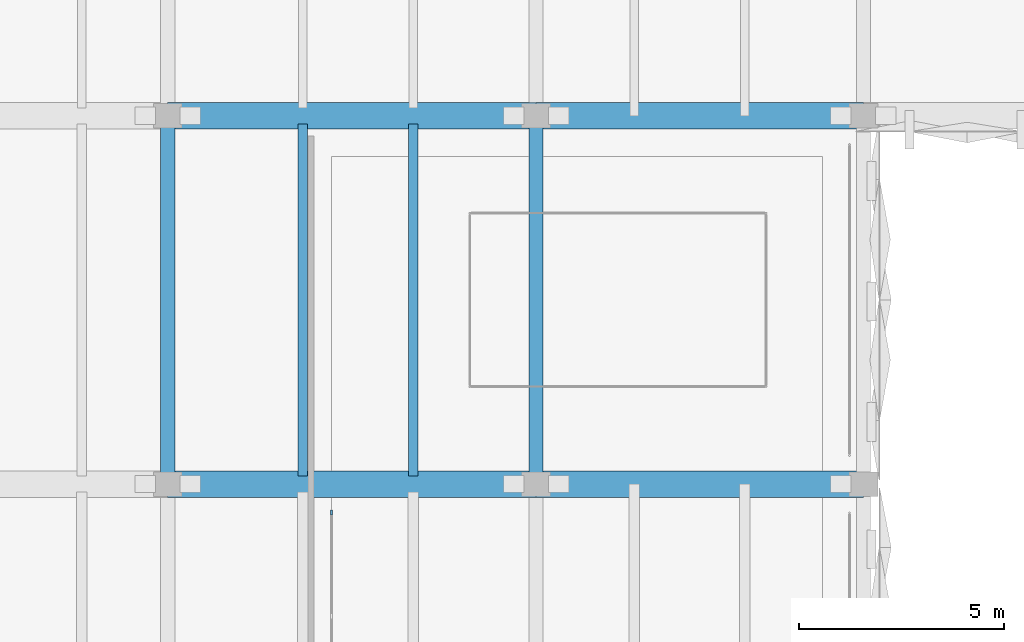
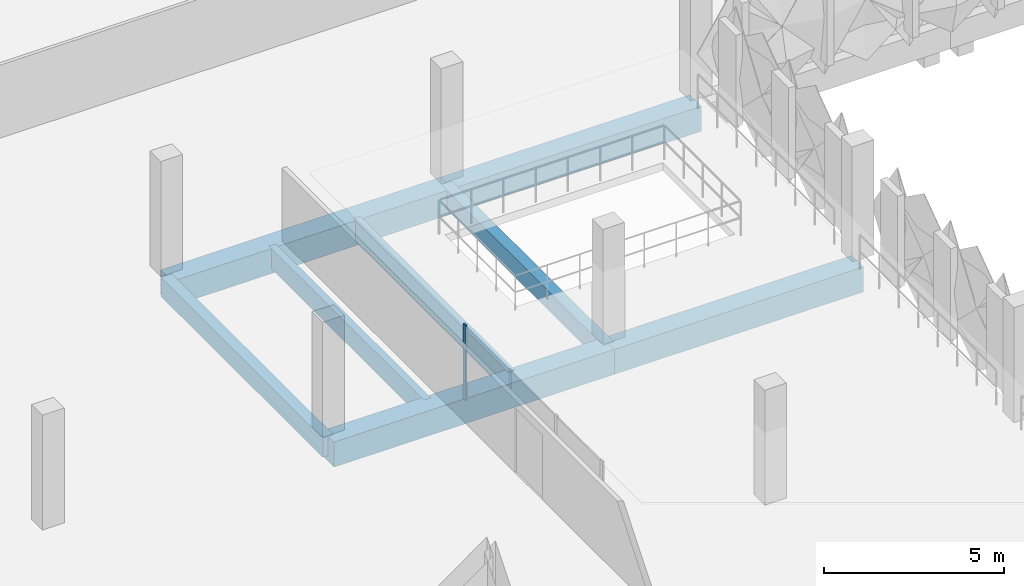
# One storey, part 13 of 52: 8 beams, 1 member, 1 element without a shape of its own.
"""IFC4 building model written with IfcOpenShell, lengths in metres."""

import ifcopenshell
import ifcopenshell.guid

model = None  # the IFC model being written
_history = None  # IfcOwnerHistory: only IFC2X3 demands one
_inside = {}  # id of a spatial element -> (the spatial element, [elements in it])
_under = {}  # id of a project, library or spatial element -> (it, [spatial elements below it])
_declared = {}  # id of a project -> (the project, [libraries it declares])
_typed = {}  # id of a type object -> (the type object, [elements of that type])
_made_of = {}  # id of a material, layer set ... -> (it, [elements and type objects made of it])


def new_model(schema):
    """Start an empty IFC model of exactly this schema.

    Asked for "IFC4X3", IfcOpenShell would pick the latest addendum, in which some entities
    have other attributes; the version numbers below select the first issue.
    IFC2X3 requires an IfcOwnerHistory on every rooted entity: one is made here for all.
    """
    global model, _history
    if schema == "IFC4X3":
        model = ifcopenshell.file(schema_version=(4, 3, 0, 0))
    else:
        model = ifcopenshell.file(schema=schema)
    _inside.clear()
    _under.clear()
    _declared.clear()
    _typed.clear()
    _made_of.clear()
    _history = None
    if model.schema == "IFC2X3":
        org = make("IfcOrganization", Name="unknown")
        user = make(
            "IfcPersonAndOrganization",
            ThePerson=make("IfcPerson", FamilyName="unknown"),
            TheOrganization=org,
        )
        app = make(
            "IfcApplication",
            ApplicationDeveloper=org,
            Version="unknown",
            ApplicationFullName="unknown",
            ApplicationIdentifier="unknown",
        )
        _history = make(
            "IfcOwnerHistory",
            OwningUser=user,
            OwningApplication=app,
            ChangeAction="ADDED",
            CreationDate=0,
        )
    return model


def make(cls, **values):
    """One entity of the class cls with the attributes given. An attribute that is None is left unset."""
    return model.create_entity(
        cls, **{name: value for name, value in values.items() if value is not None}
    )


def rooted(cls, **values):
    """An entity with a GlobalId (a new one), such as an element, a storey or a relation."""
    return make(cls, GlobalId=ifcopenshell.guid.new(), OwnerHistory=_history, **values)


def si_unit(unit_type, name, prefix=None):
    """IfcSIUnit, for example si_unit("LENGTHUNIT", "METRE", prefix="MILLI")."""
    return make("IfcSIUnit", UnitType=unit_type, Prefix=prefix, Name=name)


def derived_unit(unit_type, elements):
    """IfcDerivedUnit: a product of units, each with its exponent."""
    return make(
        "IfcDerivedUnit",
        Elements=[
            make("IfcDerivedUnitElement", Unit=unit, Exponent=power)
            for unit, power in elements
        ],
        UnitType=unit_type,
    )


def assignment(units):
    """IfcUnitAssignment: the units of a project."""
    return None if units is None else make("IfcUnitAssignment", Units=units)


def point(xyz):
    """IfcCartesianPoint."""
    return None if xyz is None else make("IfcCartesianPoint", Coordinates=xyz)


def direction(xyz):
    """IfcDirection."""
    return None if xyz is None else make("IfcDirection", DirectionRatios=xyz)


def frame(location, z_axis=None, x_axis=None):
    """IfcAxis2Placement3D, a coordinate frame: its origin and axes. An axis left out is left unset."""
    return make(
        "IfcAxis2Placement3D",
        Location=point(location),
        Axis=direction(z_axis),
        RefDirection=direction(x_axis),
    )


def frame_2d(location, x_axis=None):
    """IfcAxis2Placement2D, a coordinate frame in the plane: its origin and x axis."""
    return make(
        "IfcAxis2Placement2D", Location=point(location), RefDirection=direction(x_axis)
    )


def origin():
    """The frame at (0, 0, 0) with its axes left unset."""
    return frame((0.0, 0.0, 0.0))


def origin_2d():
    """The frame at (0, 0) in the plane with its x axis left unset."""
    return frame_2d((0.0, 0.0))


def place(relative_to, where):
    """IfcLocalPlacement: puts the frame where relative to a parent placement (None: the world)."""
    return make(
        "IfcLocalPlacement", PlacementRelTo=relative_to, RelativePlacement=where
    )


def context(
    kind, dimensions, precision=None, world=None, true_north=None, identifier=None
):
    """IfcGeometricRepresentationContext, for example the 3D "Model" context."""
    return make(
        "IfcGeometricRepresentationContext",
        ContextIdentifier=identifier,
        ContextType=kind,
        CoordinateSpaceDimension=dimensions,
        Precision=precision,
        WorldCoordinateSystem=world,
        TrueNorth=true_north,
    )


def subcontext(parent, identifier, kind, view, scale=None):
    """IfcGeometricRepresentationSubContext, for example "Body" below "Model"."""
    return make(
        "IfcGeometricRepresentationSubContext",
        ContextIdentifier=identifier,
        ContextType=kind,
        ParentContext=parent,
        TargetScale=scale,
        TargetView=view,
    )


def project(units=None, contexts=None):
    """IfcProject with its units and contexts."""
    return rooted(
        "IfcProject",
        Name="project",
        RepresentationContexts=contexts,
        UnitsInContext=assignment(units),
    )


def spatial(cls, under=None, at=None, **own):
    """A site, building, storey or space (cls), placed at a placement, below another one or the project."""
    s = rooted(cls, ObjectPlacement=at, **own)
    if under is not None:
        _under.setdefault(under.id(), (under, []))[1].append(s)
    return s


def profile(cls, at=None, kind="AREA", **sizes):
    """A parametric profile (cls). Its sizes go by their IFC names, for example OverallWidth=200.0."""
    return make(cls, ProfileType=kind, Position=at, **sizes)


def rectangle(**sizes):
    """IfcRectangleProfileDef."""
    return profile("IfcRectangleProfileDef", **sizes)


def extrude(swept, where, along, depth):
    """IfcExtrudedAreaSolid: the profile swept, set in the frame where, extruded along a direction by depth."""
    return make(
        "IfcExtrudedAreaSolid",
        SweptArea=swept,
        Position=where,
        ExtrudedDirection=direction(along),
        Depth=depth,
    )


def shape(context_of_items, identifier, shape_type, items):
    """IfcShapeRepresentation: the items that make up one representation, for example the "Body"."""
    return make(
        "IfcShapeRepresentation",
        ContextOfItems=context_of_items,
        RepresentationIdentifier=identifier,
        RepresentationType=shape_type,
        Items=items,
    )


def material(Name=None, Category=None):
    """IfcMaterial."""
    return make("IfcMaterial", Name=Name, Category=Category)


def layer(
    of_material, thickness, ventilated=None, Name=None, Category=None, Priority=None
):
    """IfcMaterialLayer: one layer of a wall or slab, of a material (None: an air gap)."""
    return make(
        "IfcMaterialLayer",
        Material=of_material,
        LayerThickness=thickness,
        IsVentilated=ventilated,
        Name=Name,
        Category=Category,
        Priority=Priority,
    )


def layer_set(layers, Name=None):
    """IfcMaterialLayerSet."""
    return make("IfcMaterialLayerSet", MaterialLayers=layers, LayerSetName=Name)


def material_profile(
    of_material, cross_section, Name=None, Category=None, Priority=None
):
    """IfcMaterialProfile: a cross section and its material."""
    return make(
        "IfcMaterialProfile",
        Name=Name,
        Material=of_material,
        Profile=cross_section,
        Priority=Priority,
        Category=Category,
    )


def profile_set(profiles, Name=None, composite=None):
    """IfcMaterialProfileSet."""
    return make(
        "IfcMaterialProfileSet",
        Name=Name,
        MaterialProfiles=profiles,
        CompositeProfile=composite,
    )


def made_of(thing, what):
    """Note that an element or type object is made of a material, layer set ...; save() writes the relation."""
    if what is not None:
        _made_of.setdefault(what.id(), (what, []))[1].append(thing)
    return thing


def type_object(cls, material=None, **own):
    """A type object (cls), such as IfcWallType, which elements share."""
    return made_of(rooted(cls, **own), material)


def element(
    cls,
    number,
    at=None,
    inside=None,
    cuts=None,
    type_object=None,
    material=None,
    context=None,
    identifier="Body",
    shape_type=None,
    held_by="IfcProductDefinitionShape",
    body=None,
    shapes=None,
    **own,
):
    """One element of the class cls, such as IfcWall. Its Tag is "e" and its number.

    at: its placement. inside: the storey or other place that contains it. cuts: it is an
    opening in that element (IfcRelVoidsElement). A single representation is given by context,
    identifier, shape_type and body (its items); several are given by shapes. held_by: the class
    of the entity that holds the representations. save() writes the other relations.
    """
    e = rooted(cls, Tag="e%d" % number, ObjectPlacement=at, **own)
    if body is not None:
        shapes = [shape(context, identifier, shape_type, body)]
    if shapes is not None:
        e.Representation = make(held_by, Representations=shapes)
    if inside is not None:
        _inside.setdefault(inside.id(), (inside, []))[1].append(e)
    if cuts is not None:
        rooted(
            "IfcRelVoidsElement", RelatingBuildingElement=cuts, RelatedOpeningElement=e
        )
    if type_object is not None:
        _typed.setdefault(type_object.id(), (type_object, []))[1].append(e)
    return made_of(e, material)


def aggregate(whole, parts):
    """IfcRelAggregates: a whole, such as a stair, and the parts it consists of."""
    return rooted("IfcRelAggregates", RelatingObject=whole, RelatedObjects=parts)


def save(model, path):
    """Write the relations noted so far, then the file.

    IfcRelAggregates (storeys below a building ...), IfcRelContainedInSpatialStructure (elements
    in a storey), IfcRelDefinesByType, IfcRelAssociatesMaterial and IfcRelDeclares: one each for
    every whole, place, type object, material and project.
    """
    for whole, parts in _under.values():
        aggregate(whole, parts)
    for where, things in _inside.values():
        rooted(
            "IfcRelContainedInSpatialStructure",
            RelatedElements=things,
            RelatingStructure=where,
        )
    for kind, things in _typed.values():
        rooted("IfcRelDefinesByType", RelatedObjects=things, RelatingType=kind)
    for what, things in _made_of.values():
        rooted("IfcRelAssociatesMaterial", RelatedObjects=things, RelatingMaterial=what)
    for by, libraries in _declared.values():
        rooted("IfcRelDeclares", RelatingContext=by, RelatedDefinitions=libraries)
    model.write(path)


model = new_model("IFC4")

# Units and contexts
model_context = context("Model", 3, precision=1e-05, world=origin(), true_north=direction((0.0, 1.0)))
body_context = subcontext(model_context, "Body", "Model", "MODEL_VIEW")
ifc_project = project(units=[si_unit("LENGTHUNIT", "METRE"), si_unit("AREAUNIT", "SQUARE_METRE"), si_unit("VOLUMEUNIT", "CUBIC_METRE"), si_unit("PLANEANGLEUNIT", "RADIAN"), si_unit("MASSUNIT", "GRAM", prefix="KILO"), si_unit("THERMODYNAMICTEMPERATUREUNIT", "KELVIN"), derived_unit("THERMALTRANSMITTANCEUNIT", [(si_unit("POWERUNIT", "WATT"), 1), (si_unit("AREAUNIT", "SQUARE_METRE"), -1), (si_unit("THERMODYNAMICTEMPERATUREUNIT", "KELVIN"), -1)])], contexts=[model_context])

# Site, building, storey
site_placement = place(None, origin())
site = spatial("IfcSite", under=ifc_project, at=site_placement, CompositionType="ELEMENT")
building_placement = place(site_placement, origin())
building = spatial("IfcBuilding", under=site, at=building_placement, Name="Haiyu Intermodal Mobility Hub", CompositionType="ELEMENT")
storey_placement = place(building_placement, frame((0.0, 0.0, 21.199951171875)))
storey = spatial("IfcBuildingStorey", under=building, at=storey_placement, Name="L05", CompositionType="ELEMENT", Elevation=21.199951171875)

# Beams
ifc_material_1 = material(Name="Concrete C40", Category="concrete")
ifc_material_profile_1 = material_profile(ifc_material_1, rectangle(XDim=0.35009765625, YDim=0.64990234375, at=origin_2d()), Name="RCB350x650")
ifc_profile_set_1 = profile_set([ifc_material_profile_1], Name="Concrete C40")
beam_type_1 = type_object("IfcBeamType", Name="BM-CB04", PredefinedType="BEAM", material=ifc_profile_set_1)
for number, where, z_axis, x_axis, name in (
    (1, (129.0, 122.0, -0.599853515625), (0.0, 1.0, 0.0), (-1.0, 0.0, 0.0), "BM-V4E-L05-034"),
    (2, (138.0, 122.0, -0.599853515625), (0.0, 1.0, 0.0), (-1.0, 0.0, 0.0), "BM-V4E-L05-037"),
):
    element("IfcBeam", number, at=place(storey_placement, frame(where, z_axis=z_axis, x_axis=x_axis)), inside=storey, type_object=beam_type_1, Name=name, PredefinedType="BEAM", context=body_context, shape_type="SweptSolid", body=[
        extrude(rectangle(XDim=0.35009765625, YDim=0.64990234375, at=origin_2d()), origin(), (0.0, 0.0, 1.0), 9.0),
    ])
ifc_material_2 = material(Name="Precast concrete C50", Category="concrete")
ifc_material_profile_2 = material_profile(ifc_material_2, rectangle(XDim=0.22998046875, YDim=0.68994140625, at=origin_2d()), Name="B230x690")
ifc_profile_set_2 = profile_set([ifc_material_profile_2], Name="Precast concrete C50")
beam_type_2 = type_object("IfcBeamType", Name="BM-DT06", PredefinedType="JOIST", material=ifc_profile_set_2)
for number, where, z_axis, x_axis, name in (
    (3, (132.300048828125, 122.195068359375, -0.619873046875), (0.0, 1.0, 0.0), (-1.0, 0.0, 0.0), "BM-DT-L05-078"),
    (4, (135.0, 122.195068359375, -0.619873046875), (0.0, 1.0, 0.0), (-1.0, 0.0, 0.0), "BM-DT-L05-081"),
):
    element("IfcBeam", number, at=place(storey_placement, frame(where, z_axis=z_axis, x_axis=x_axis)), inside=storey, type_object=beam_type_2, Name=name, PredefinedType="JOIST", context=body_context, shape_type="SweptSolid", body=[
        extrude(rectangle(XDim=0.22998046875, YDim=0.68994140625, at=origin_2d()), origin(), (0.0, 0.0, 1.0), 8.60986328125),
    ])
ifc_material_profile_3 = material_profile(ifc_material_2, rectangle(XDim=0.64990234375, YDim=0.85009765625, at=origin_2d()), Name="PC650x850")
ifc_profile_set_3 = profile_set([ifc_material_profile_3], Name="Precast concrete C50")
beam_type_3 = type_object("IfcBeamType", Name="BM-IT03", PredefinedType="T_BEAM", material=ifc_profile_set_3)
beam_1_placement = place(storey_placement, frame((129.0, 122.0, -0.699951171875), z_axis=(1.0, 0.0, 0.0), x_axis=(0.0, 1.0, 0.0)))
element("IfcBeam", 5, at=beam_1_placement, inside=storey, type_object=beam_type_3, Name="BM-V4G-L05-023", PredefinedType="T_BEAM", context=body_context, shape_type="SweptSolid", body=[
    extrude(rectangle(XDim=0.64990234375, YDim=0.85009765625, at=origin_2d()), origin(), (0.0, 0.0, 1.0), 9.0),
])
beam_2_placement = place(storey_placement, frame((138.0, 122.0, -0.699951171875), z_axis=(1.0, 0.0, 0.0), x_axis=(0.0, 1.0, 0.0)))
element("IfcBeam", 6, at=beam_2_placement, inside=storey, type_object=beam_type_3, Name="BM-V4G-L05-024", PredefinedType="T_BEAM", context=body_context, shape_type="SweptSolid", body=[
    extrude(rectangle(XDim=0.64990234375, YDim=0.85009765625, at=origin_2d()), origin(), (0.0, 0.0, 1.0), 8.0),
])
beam_3_placement = place(storey_placement, frame((129.0, 131.0, -0.699951171875), z_axis=(1.0, 0.0, 0.0), x_axis=(0.0, 1.0, 0.0)))
element("IfcBeam", 7, at=beam_3_placement, inside=storey, type_object=beam_type_3, Name="BM-V4G-L05-037", PredefinedType="T_BEAM", context=body_context, shape_type="SweptSolid", body=[
    extrude(rectangle(XDim=0.64990234375, YDim=0.85009765625, at=origin_2d()), origin(), (0.0, 0.0, 1.0), 9.0),
])
beam_4_placement = place(storey_placement, frame((138.0, 131.0, -0.699951171875), z_axis=(1.0, 0.0, 0.0), x_axis=(0.0, 1.0, 0.0)))
element("IfcBeam", 8, at=beam_4_placement, inside=storey, type_object=beam_type_3, Name="BM-V4G-L05-038", PredefinedType="T_BEAM", context=body_context, shape_type="SweptSolid", body=[
    extrude(rectangle(XDim=0.64990234375, YDim=0.85009765625, at=origin_2d()), origin(), (0.0, 0.0, 1.0), 8.0),
])

# Curtain wall, member
ifc_material_3 = material(Name="Low-e laminated insulating glass", Category="glass")
ifc_layer = layer(ifc_material_3, 0.179931640625)
ifc_layer_set = layer_set([ifc_layer], Name="Low-e laminated insulating glass")
curtain_wall_type = type_object("IfcCurtainWallType", Name="CW-CW06", PredefinedType="NOTDEFINED", material=ifc_layer_set)
curtain_wall_placement = place(storey_placement, origin())
curtain_wall = element("IfcCurtainWall", 9, at=curtain_wall_placement, inside=storey, type_object=curtain_wall_type, Name="Curtain Wall CW-INT-07", PredefinedType="NOTDEFINED")
ifc_material_4 = material(Name="Anodised aluminium 6063-T6", Category="aluminium")
ifc_material_profile_4 = material_profile(ifc_material_4, rectangle(XDim=0.054931640625, YDim=0.125, at=origin_2d()), Name="ALU55x125")
ifc_profile_set_4 = profile_set([ifc_material_profile_4], Name="Anodised aluminium 6063-T6")
member_type = type_object("IfcMemberType", Name="CWM-ML04", PredefinedType="MULLION", material=ifc_profile_set_4)
member_placement = place(storey_placement, frame((133.0, 121.31005859375, 0.0), z_axis=(0.0, 0.0, 1.0), x_axis=(1.0, 0.0, 0.0)))
member = element("IfcMember", 10, at=member_placement, type_object=member_type, Name="CW-INT-07-ML04", PredefinedType="MULLION", context=body_context, shape_type="SweptSolid", body=[
    extrude(rectangle(XDim=0.054931640625, YDim=0.125, at=origin_2d()), origin(), (0.0, 0.0, 1.0), 2.550048828125),
])
aggregate(curtain_wall, [member])

save(model, "model.ifc")
